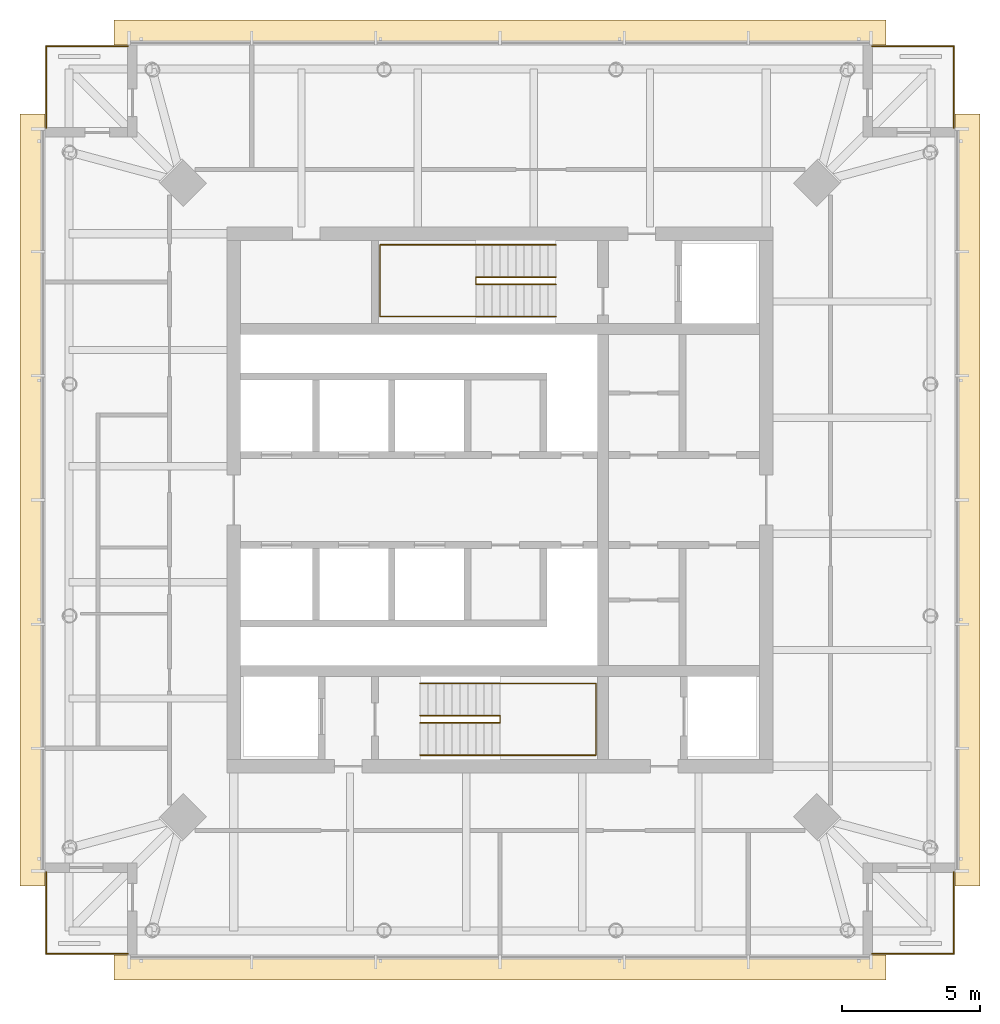
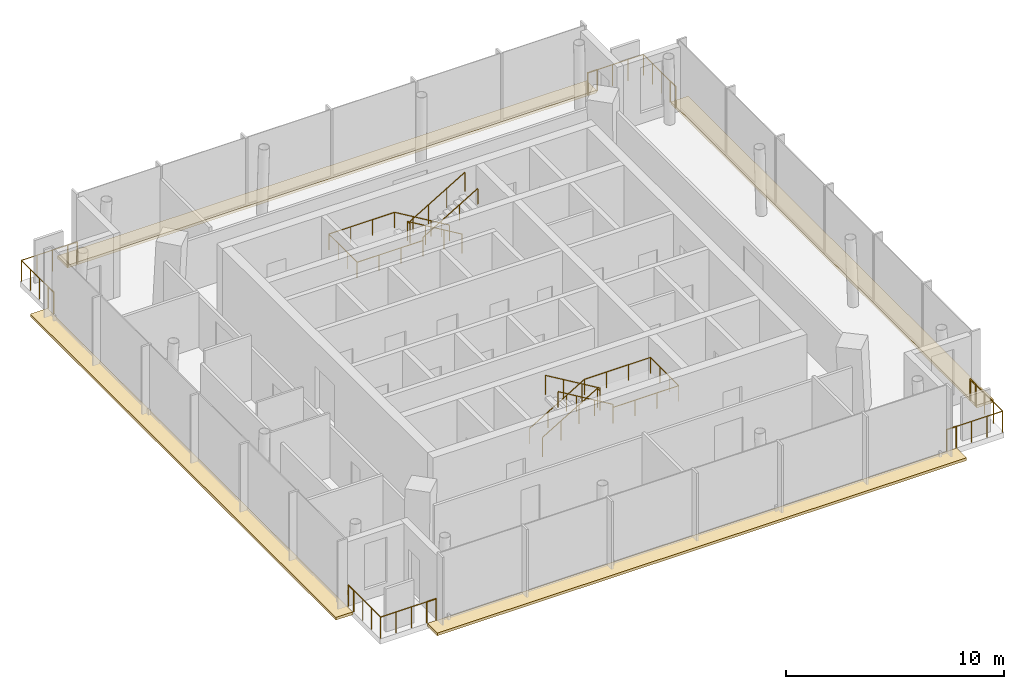
# One storey, part 8 of 8: 16 railings, 4 coverings.
"""IFC4 building model written with IfcOpenShell, lengths in metres."""

from ifc_helpers import new_model, si_unit, direction, frame, origin, origin_2d, place, context, subcontext, project, spatial, polyline, circle, outline, extrude, material, layer, layer_set, type_object, element, save


model = new_model("IFC4")

# Units and contexts
model_context = context("Model", 3, precision=1e-05, world=origin(), true_north=direction((0.0, 1.0)))
body_context = subcontext(model_context, "Body", "Model", "MODEL_VIEW")
ifc_project = project(units=[si_unit("LENGTHUNIT", "METRE"), si_unit("AREAUNIT", "SQUARE_METRE"), si_unit("VOLUMEUNIT", "CUBIC_METRE"), si_unit("PLANEANGLEUNIT", "RADIAN"), si_unit("MASSUNIT", "GRAM", prefix="KILO")], contexts=[model_context])

# Site, building, storey
site_placement = place(None, origin())
site = spatial("IfcSite", under=ifc_project, at=site_placement, CompositionType="ELEMENT")
building_placement = place(site_placement, origin())
building = spatial("IfcBuilding", under=site, at=building_placement, Name="Ostroluk Exchange", CompositionType="ELEMENT")
storey_placement = place(building_placement, frame((0.0, 0.0, 283.199951171875)))
storey = spatial("IfcBuildingStorey", under=building, at=storey_placement, Name="L73", CompositionType="ELEMENT", Elevation=283.199951171875)

# Railings
ifc_material_1 = material(Name="Laminated toughened glass", Category="glass")
railing_type_1 = type_object("IfcRailingType", Name="Lockable maintenance gate 1200 glass", PredefinedType="GUARDRAIL", material=ifc_material_1)
railing_1_placement = place(storey_placement, frame((58.5, 29.550048828125, 0.0)))
element("IfcRailing", 1, at=railing_1_placement, inside=storey, type_object=railing_type_1, Name="Lockable maintenance gate T1 L73 SE", PredefinedType="GUARDRAIL", context=body_context, shape_type="SweptSolid", body=[
    extrude(circle(Radius=0.02392578125, at=origin_2d()), frame((0.0, 0.0, 1.17578125), z_axis=(1.0, 0.0, 0.0), x_axis=(0.0, 1.0, 0.0)), (0.0, 0.0, 1.0), 0.5),
    extrude(circle(Radius=0.02099609375, at=origin_2d()), origin(), (0.0, 0.0, 1.0), 1.15185546875),
    extrude(circle(Radius=0.02099609375, at=origin_2d()), frame((0.5, 0.0, 0.0)), (0.0, 0.0, 1.0), 1.15185546875),
])
railing_2_placement = place(storey_placement, frame((61.449951171875, 32.0, 0.0)))
element("IfcRailing", 2, at=railing_2_placement, inside=storey, type_object=railing_type_1, Name="Lockable maintenance gate T1 L73 SE", PredefinedType="GUARDRAIL", context=body_context, shape_type="SweptSolid", body=[
    extrude(circle(Radius=0.02392578125, at=origin_2d()), frame((0.0, 0.0, 1.17578125), z_axis=(0.0, 1.0, 0.0), x_axis=(-1.0, 0.0, 0.0)), (0.0, 0.0, 1.0), 0.5),
    extrude(circle(Radius=0.02099609375, at=origin_2d()), origin(), (0.0, 0.0, 1.0), 1.15185546875),
    extrude(circle(Radius=0.02099609375, at=origin_2d()), frame((0.0, 0.5, 0.0)), (0.0, 0.0, 1.0), 1.15185546875),
])
railing_3_placement = place(storey_placement, frame((58.5, 62.449951171875, 0.0)))
element("IfcRailing", 3, at=railing_3_placement, inside=storey, type_object=railing_type_1, Name="Lockable maintenance gate T1 L73 NE", PredefinedType="GUARDRAIL", context=body_context, shape_type="SweptSolid", body=[
    extrude(circle(Radius=0.02392578125, at=origin_2d()), frame((0.0, 0.0, 1.17578125), z_axis=(1.0, 0.0, 0.0), x_axis=(0.0, 1.0, 0.0)), (0.0, 0.0, 1.0), 0.5),
    extrude(circle(Radius=0.02099609375, at=origin_2d()), origin(), (0.0, 0.0, 1.0), 1.15185546875),
    extrude(circle(Radius=0.02099609375, at=origin_2d()), frame((0.5, 0.0, 0.0)), (0.0, 0.0, 1.0), 1.15185546875),
])
railing_4_placement = place(storey_placement, frame((61.449951171875, 60.0, 0.0)))
element("IfcRailing", 4, at=railing_4_placement, inside=storey, type_object=railing_type_1, Name="Lockable maintenance gate T1 L73 NE", PredefinedType="GUARDRAIL", context=body_context, shape_type="SweptSolid", body=[
    extrude(circle(Radius=0.02392578125, at=origin_2d()), frame((0.0, 0.0, 1.17578125), z_axis=(0.0, -1.0, 0.0), x_axis=(1.0, 0.0, 0.0)), (0.0, 0.0, 1.0), 0.5),
    extrude(circle(Radius=0.02099609375, at=origin_2d()), origin(), (0.0, 0.0, 1.0), 1.15185546875),
    extrude(circle(Radius=0.02099609375, at=origin_2d()), frame((0.0, -0.5, 0.0)), (0.0, 0.0, 1.0), 1.15185546875),
])
railing_5_placement = place(storey_placement, frame((31.5, 62.449951171875, 0.0)))
element("IfcRailing", 5, at=railing_5_placement, inside=storey, type_object=railing_type_1, Name="Lockable maintenance gate T1 L73 NW", PredefinedType="GUARDRAIL", context=body_context, shape_type="SweptSolid", body=[
    extrude(circle(Radius=0.02392578125, at=origin_2d()), frame((0.0, 0.0, 1.17578125), z_axis=(-1.0, 0.0, 0.0), x_axis=(0.0, -1.0, 0.0)), (0.0, 0.0, 1.0), 0.5),
    extrude(circle(Radius=0.02099609375, at=origin_2d()), origin(), (0.0, 0.0, 1.0), 1.15185546875),
    extrude(circle(Radius=0.02099609375, at=origin_2d()), frame((-0.5, 0.0, 0.0)), (0.0, 0.0, 1.0), 1.15185546875),
])
railing_6_placement = place(storey_placement, frame((28.550048828125, 60.0, 0.0)))
element("IfcRailing", 6, at=railing_6_placement, inside=storey, type_object=railing_type_1, Name="Lockable maintenance gate T1 L73 NW", PredefinedType="GUARDRAIL", context=body_context, shape_type="SweptSolid", body=[
    extrude(circle(Radius=0.02392578125, at=origin_2d()), frame((0.0, 0.0, 1.17578125), z_axis=(0.0, -1.0, 0.0), x_axis=(1.0, 0.0, 0.0)), (0.0, 0.0, 1.0), 0.5),
    extrude(circle(Radius=0.02099609375, at=origin_2d()), origin(), (0.0, 0.0, 1.0), 1.15185546875),
    extrude(circle(Radius=0.02099609375, at=origin_2d()), frame((0.0, -0.5, 0.0)), (0.0, 0.0, 1.0), 1.15185546875),
])
railing_7_placement = place(storey_placement, frame((31.5, 29.550048828125, 0.0)))
element("IfcRailing", 7, at=railing_7_placement, inside=storey, type_object=railing_type_1, Name="Lockable maintenance gate T1 L73 SW", PredefinedType="GUARDRAIL", context=body_context, shape_type="SweptSolid", body=[
    extrude(circle(Radius=0.02392578125, at=origin_2d()), frame((0.0, 0.0, 1.17578125), z_axis=(-1.0, 0.0, 0.0), x_axis=(0.0, -1.0, 0.0)), (0.0, 0.0, 1.0), 0.5),
    extrude(circle(Radius=0.02099609375, at=origin_2d()), origin(), (0.0, 0.0, 1.0), 1.15185546875),
    extrude(circle(Radius=0.02099609375, at=origin_2d()), frame((-0.5, 0.0, 0.0)), (0.0, 0.0, 1.0), 1.15185546875),
])
railing_8_placement = place(storey_placement, frame((28.550048828125, 32.0, 0.0)))
element("IfcRailing", 8, at=railing_8_placement, inside=storey, type_object=railing_type_1, Name="Lockable maintenance gate T1 L73 SW", PredefinedType="GUARDRAIL", context=body_context, shape_type="SweptSolid", body=[
    extrude(circle(Radius=0.02392578125, at=origin_2d()), frame((0.0, 0.0, 1.17578125), z_axis=(0.0, 1.0, 0.0), x_axis=(-1.0, 0.0, 0.0)), (0.0, 0.0, 1.0), 0.5),
    extrude(circle(Radius=0.02099609375, at=origin_2d()), origin(), (0.0, 0.0, 1.0), 1.15185546875),
    extrude(circle(Radius=0.02099609375, at=origin_2d()), frame((0.0, 0.5, 0.0)), (0.0, 0.0, 1.0), 1.15185546875),
])
ifc_material_2 = material(Name="Laminated toughened glass", Category="glass")
railing_type_2 = type_object("IfcRailingType", Name="Observation guard 1200 glass", PredefinedType="GUARDRAIL", material=ifc_material_2)
railing_9_placement = place(storey_placement, frame((59.0, 29.550048828125, 0.0)))
element("IfcRailing", 9, at=railing_9_placement, inside=storey, type_object=railing_type_2, Name="Office tower SE balcony guard L73", PredefinedType="GUARDRAIL", context=body_context, shape_type="SweptSolid", body=[
    extrude(circle(Radius=0.02392578125, at=origin_2d()), frame((0.0, 0.0, 1.17578125), z_axis=(1.0, 0.0, 0.0), x_axis=(0.0, 1.0, 0.0)), (0.0, 0.0, 1.0), 2.449951171875),
    extrude(circle(Radius=0.02392578125, at=origin_2d()), frame((2.449951171875, 0.0, 1.17578125), z_axis=(0.0, 1.0, 0.0), x_axis=(-1.0, 0.0, 0.0)), (0.0, 0.0, 1.0), 2.449951171875),
    extrude(circle(Radius=0.02099609375, at=origin_2d()), origin(), (0.0, 0.0, 1.0), 1.15185546875),
    extrude(circle(Radius=0.02099609375, at=origin_2d()), frame((0.816650390625, 0.0, 0.0)), (0.0, 0.0, 1.0), 1.15185546875),
    extrude(circle(Radius=0.02099609375, at=origin_2d()), frame((1.63330078125, 0.0, 0.0)), (0.0, 0.0, 1.0), 1.15185546875),
    extrude(circle(Radius=0.02099609375, at=origin_2d()), frame((2.449951171875, 0.0, 0.0)), (0.0, 0.0, 1.0), 1.15185546875),
    extrude(circle(Radius=0.02099609375, at=origin_2d()), frame((2.449951171875, 0.816650390625, 0.0)), (0.0, 0.0, 1.0), 1.15185546875),
    extrude(circle(Radius=0.02099609375, at=origin_2d()), frame((2.449951171875, 1.63330078125, 0.0)), (0.0, 0.0, 1.0), 1.15185546875),
    extrude(circle(Radius=0.02099609375, at=origin_2d()), frame((2.449951171875, 2.449951171875, 0.0)), (0.0, 0.0, 1.0), 1.15185546875),
])
railing_10_placement = place(storey_placement, frame((59.0, 62.449951171875, 0.0)))
element("IfcRailing", 10, at=railing_10_placement, inside=storey, type_object=railing_type_2, Name="Office tower NE balcony guard L73", PredefinedType="GUARDRAIL", context=body_context, shape_type="SweptSolid", body=[
    extrude(circle(Radius=0.02392578125, at=origin_2d()), frame((0.0, 0.0, 1.17578125), z_axis=(1.0, 0.0, 0.0), x_axis=(0.0, 1.0, 0.0)), (0.0, 0.0, 1.0), 2.449951171875),
    extrude(circle(Radius=0.02392578125, at=origin_2d()), frame((2.449951171875, 0.0, 1.17578125), z_axis=(0.0, -1.0, 0.0), x_axis=(1.0, 0.0, 0.0)), (0.0, 0.0, 1.0), 2.449951171875),
    extrude(circle(Radius=0.02099609375, at=origin_2d()), origin(), (0.0, 0.0, 1.0), 1.15185546875),
    extrude(circle(Radius=0.02099609375, at=origin_2d()), frame((0.816650390625, 0.0, 0.0)), (0.0, 0.0, 1.0), 1.15185546875),
    extrude(circle(Radius=0.02099609375, at=origin_2d()), frame((1.63330078125, 0.0, 0.0)), (0.0, 0.0, 1.0), 1.15185546875),
    extrude(circle(Radius=0.02099609375, at=origin_2d()), frame((2.449951171875, 0.0, 0.0)), (0.0, 0.0, 1.0), 1.15185546875),
    extrude(circle(Radius=0.02099609375, at=origin_2d()), frame((2.449951171875, -0.816650390625, 0.0)), (0.0, 0.0, 1.0), 1.15185546875),
    extrude(circle(Radius=0.02099609375, at=origin_2d()), frame((2.449951171875, -1.63330078125, 0.0)), (0.0, 0.0, 1.0), 1.15185546875),
    extrude(circle(Radius=0.02099609375, at=origin_2d()), frame((2.449951171875, -2.449951171875, 0.0)), (0.0, 0.0, 1.0), 1.15185546875),
])
railing_11_placement = place(storey_placement, frame((31.0, 62.449951171875, 0.0)))
element("IfcRailing", 11, at=railing_11_placement, inside=storey, type_object=railing_type_2, Name="Office tower NW balcony guard L73", PredefinedType="GUARDRAIL", context=body_context, shape_type="SweptSolid", body=[
    extrude(circle(Radius=0.02392578125, at=origin_2d()), frame((0.0, 0.0, 1.17578125), z_axis=(-1.0, 0.0, 0.0), x_axis=(0.0, -1.0, 0.0)), (0.0, 0.0, 1.0), 2.449951171875),
    extrude(circle(Radius=0.02392578125, at=origin_2d()), frame((-2.449951171875, 0.0, 1.17578125), z_axis=(0.0, -1.0, 0.0), x_axis=(1.0, 0.0, 0.0)), (0.0, 0.0, 1.0), 2.449951171875),
    extrude(circle(Radius=0.02099609375, at=origin_2d()), origin(), (0.0, 0.0, 1.0), 1.15185546875),
    extrude(circle(Radius=0.02099609375, at=origin_2d()), frame((-0.816650390625, 0.0, 0.0)), (0.0, 0.0, 1.0), 1.15185546875),
    extrude(circle(Radius=0.02099609375, at=origin_2d()), frame((-1.63330078125, 0.0, 0.0)), (0.0, 0.0, 1.0), 1.15185546875),
    extrude(circle(Radius=0.02099609375, at=origin_2d()), frame((-2.449951171875, 0.0, 0.0)), (0.0, 0.0, 1.0), 1.15185546875),
    extrude(circle(Radius=0.02099609375, at=origin_2d()), frame((-2.449951171875, -0.816650390625, 0.0)), (0.0, 0.0, 1.0), 1.15185546875),
    extrude(circle(Radius=0.02099609375, at=origin_2d()), frame((-2.449951171875, -1.63330078125, 0.0)), (0.0, 0.0, 1.0), 1.15185546875),
    extrude(circle(Radius=0.02099609375, at=origin_2d()), frame((-2.449951171875, -2.449951171875, 0.0)), (0.0, 0.0, 1.0), 1.15185546875),
])
railing_12_placement = place(storey_placement, frame((31.0, 29.550048828125, 0.0)))
element("IfcRailing", 12, at=railing_12_placement, inside=storey, type_object=railing_type_2, Name="Office tower SW balcony guard L73", PredefinedType="GUARDRAIL", context=body_context, shape_type="SweptSolid", body=[
    extrude(circle(Radius=0.02392578125, at=origin_2d()), frame((0.0, 0.0, 1.17578125), z_axis=(-1.0, 0.0, 0.0), x_axis=(0.0, -1.0, 0.0)), (0.0, 0.0, 1.0), 2.449951171875),
    extrude(circle(Radius=0.02392578125, at=origin_2d()), frame((-2.449951171875, 0.0, 1.17578125), z_axis=(0.0, 1.0, 0.0), x_axis=(-1.0, 0.0, 0.0)), (0.0, 0.0, 1.0), 2.449951171875),
    extrude(circle(Radius=0.02099609375, at=origin_2d()), origin(), (0.0, 0.0, 1.0), 1.15185546875),
    extrude(circle(Radius=0.02099609375, at=origin_2d()), frame((-0.816650390625, 0.0, 0.0)), (0.0, 0.0, 1.0), 1.15185546875),
    extrude(circle(Radius=0.02099609375, at=origin_2d()), frame((-1.63330078125, 0.0, 0.0)), (0.0, 0.0, 1.0), 1.15185546875),
    extrude(circle(Radius=0.02099609375, at=origin_2d()), frame((-2.449951171875, 0.0, 0.0)), (0.0, 0.0, 1.0), 1.15185546875),
    extrude(circle(Radius=0.02099609375, at=origin_2d()), frame((-2.449951171875, 0.816650390625, 0.0)), (0.0, 0.0, 1.0), 1.15185546875),
    extrude(circle(Radius=0.02099609375, at=origin_2d()), frame((-2.449951171875, 1.63330078125, 0.0)), (0.0, 0.0, 1.0), 1.15185546875),
    extrude(circle(Radius=0.02099609375, at=origin_2d()), frame((-2.449951171875, 2.449951171875, 0.0)), (0.0, 0.0, 1.0), 1.15185546875),
])

# Coverings
ifc_material_3 = material(Name="Insulated steel roof deck with membrane, laid to falls, aluminium coping", Category="steel")
ifc_layer = layer(ifc_material_3, 0.14990234375)
ifc_layer_set = layer_set([ifc_layer], Name="Setback maintenance roof")
covering_type = type_object("IfcCoveringType", Name="Setback maintenance roof", PredefinedType="ROOFING", material=ifc_layer_set)
covering_1_placement = place(storey_placement, frame((0.0, 0.0, -0.14990234375)))
element("IfcCovering", 13, at=covering_1_placement, inside=storey, type_object=covering_type, Name="Maintenance roof, setback L73 south", PredefinedType="ROOFING", context=body_context, shape_type="SweptSolid", body=[
    extrude(outline(polyline([(31.0, 29.5), (59.0, 29.5), (59.0, 28.60009765625), (31.0, 28.60009765625), (31.0, 29.5)])), origin(), (0.0, 0.0, 1.0), 0.14990234375),
])
covering_2_placement = place(storey_placement, frame((0.0, 0.0, -0.14990234375)))
element("IfcCovering", 14, at=covering_2_placement, inside=storey, type_object=covering_type, Name="Maintenance roof, setback L73 east", PredefinedType="ROOFING", context=body_context, shape_type="SweptSolid", body=[
    extrude(outline(polyline([(61.5, 60.0), (62.39990234375, 60.0), (62.39990234375, 32.0), (61.5, 32.0), (61.5, 60.0)])), origin(), (0.0, 0.0, 1.0), 0.14990234375),
])
covering_3_placement = place(storey_placement, frame((0.0, 0.0, -0.14990234375)))
element("IfcCovering", 15, at=covering_3_placement, inside=storey, type_object=covering_type, Name="Maintenance roof, setback L73 north", PredefinedType="ROOFING", context=body_context, shape_type="SweptSolid", body=[
    extrude(outline(polyline([(31.0, 63.39990234375), (59.0, 63.39990234375), (59.0, 62.5), (31.0, 62.5), (31.0, 63.39990234375)])), origin(), (0.0, 0.0, 1.0), 0.14990234375),
])
covering_4_placement = place(storey_placement, frame((0.0, 0.0, -0.14990234375)))
element("IfcCovering", 16, at=covering_4_placement, inside=storey, type_object=covering_type, Name="Maintenance roof, setback L73 west", PredefinedType="ROOFING", context=body_context, shape_type="SweptSolid", body=[
    extrude(outline(polyline([(27.60009765625, 60.0), (28.5, 60.0), (28.5, 32.0), (27.60009765625, 32.0), (27.60009765625, 60.0)])), origin(), (0.0, 0.0, 1.0), 0.14990234375),
])

# Railings
ifc_material_4 = material(Name="Steel S355", Category="steel")
railing_type_3 = type_object("IfcRailingType", Name="Stair guard 1100", PredefinedType="GUARDRAIL", material=ifc_material_4)
railing_13_placement = place(storey_placement, frame((42.10009765625, 38.179931640625, 0.1728515625)))
element("IfcRailing", 17, at=railing_13_placement, inside=storey, type_object=railing_type_3, Name="Stair T1-S1 guard L73", PredefinedType="GUARDRAIL", context=body_context, shape_type="SweptSolid", body=[
    extrude(circle(Radius=0.02392578125, at=origin_2d()), frame((0.0, 0.0, 1.076171875), z_axis=(0.859141464434, 0.0, 0.511738159696), x_axis=(0.0, 1.0, 0.0)), (0.0, 0.0, 1.0), 3.375244140625),
    extrude(circle(Radius=0.02392578125, at=origin_2d()), frame((2.89990234375, 0.0, 2.80322265625), z_axis=(0.0, -1.0, 0.0), x_axis=(1.0, 0.0, 0.0)), (0.0, 0.0, 1.0), 0.260009765625),
    extrude(circle(Radius=0.02392578125, at=origin_2d()), frame((2.89990234375, -0.260009765625, 2.80322265625), z_axis=(0.0, 0.0, 1.0), x_axis=(1.0, 0.0, 0.0)), (0.0, 0.0, 1.0), 0.172607421875),
    extrude(circle(Radius=0.02392578125, at=origin_2d()), frame((2.89990234375, -0.260009765625, 2.97607421875), z_axis=(-0.859141464434, 0.0, 0.511738159696), x_axis=(0.0, -1.0, 0.0)), (0.0, 0.0, 1.0), 3.375244140625),
    extrude(circle(Radius=0.02099609375, at=origin_2d()), origin(), (0.0, 0.0, 1.0), 1.052001953125),
    extrude(circle(Radius=0.02099609375, at=origin_2d()), frame((0.966552734375, 0.0, 0.57568359375)), (0.0, 0.0, 1.0), 1.052001953125),
    extrude(circle(Radius=0.02099609375, at=origin_2d()), frame((1.933349609375, 0.0, 1.151611328125)), (0.0, 0.0, 1.0), 1.052001953125),
    extrude(circle(Radius=0.02099609375, at=origin_2d()), frame((2.89990234375, 0.0, 1.727294921875)), (0.0, 0.0, 1.0), 1.052001953125),
    extrude(circle(Radius=0.02099609375, at=origin_2d()), frame((2.89990234375, -0.260009765625, 1.727294921875)), (0.0, 0.0, 1.0), 1.052001953125),
    extrude(circle(Radius=0.02099609375, at=origin_2d()), frame((2.89990234375, -0.260009765625, 1.89990234375)), (0.0, 0.0, 1.0), 1.052001953125),
    extrude(circle(Radius=0.02099609375, at=origin_2d()), frame((1.933349609375, -0.260009765625, 2.4755859375)), (0.0, 0.0, 1.0), 1.052001953125),
    extrude(circle(Radius=0.02099609375, at=origin_2d()), frame((0.966552734375, -0.260009765625, 3.051513671875)), (0.0, 0.0, 1.0), 1.052001953125),
    extrude(circle(Radius=0.02099609375, at=origin_2d()), frame((0.0, -0.260009765625, 3.627197265625)), (0.0, 0.0, 1.0), 1.052001953125),
])
railing_14_placement = place(storey_placement, frame((47.030029296875, 54.080078125, 0.1728515625)))
element("IfcRailing", 18, at=railing_14_placement, inside=storey, type_object=railing_type_3, Name="Stair T1-S2 guard L73", PredefinedType="GUARDRAIL", context=body_context, shape_type="SweptSolid", body=[
    extrude(circle(Radius=0.02392578125, at=origin_2d()), frame((0.0, 0.0, 1.076171875), z_axis=(-0.859160404282, 0.0, 0.51170636083), x_axis=(0.0, -1.0, 0.0)), (0.0, 0.0, 1.0), 3.37548828125),
    extrude(circle(Radius=0.02392578125, at=origin_2d()), frame((-2.900146484375, 0.0, 2.80322265625), z_axis=(0.0, -1.0, 0.0), x_axis=(1.0, 0.0, 0.0)), (0.0, 0.0, 1.0), 0.260009765625),
    extrude(circle(Radius=0.02392578125, at=origin_2d()), frame((-2.900146484375, -0.260009765625, 2.80322265625), z_axis=(0.0, 0.0, 1.0), x_axis=(1.0, 0.0, 0.0)), (0.0, 0.0, 1.0), 0.172607421875),
    extrude(circle(Radius=0.02392578125, at=origin_2d()), frame((-2.900146484375, -0.260009765625, 2.97607421875), z_axis=(0.859160404282, 0.0, 0.51170636083), x_axis=(0.0, 1.0, 0.0)), (0.0, 0.0, 1.0), 3.37548828125),
    extrude(circle(Radius=0.02099609375, at=origin_2d()), origin(), (0.0, 0.0, 1.0), 1.052001953125),
    extrude(circle(Radius=0.02099609375, at=origin_2d()), frame((-0.966796875, 0.0, 0.57568359375)), (0.0, 0.0, 1.0), 1.052001953125),
    extrude(circle(Radius=0.02099609375, at=origin_2d()), frame((-1.933349609375, 0.0, 1.151611328125)), (0.0, 0.0, 1.0), 1.052001953125),
    extrude(circle(Radius=0.02099609375, at=origin_2d()), frame((-2.900146484375, 0.0, 1.727294921875)), (0.0, 0.0, 1.0), 1.052001953125),
    extrude(circle(Radius=0.02099609375, at=origin_2d()), frame((-2.900146484375, -0.260009765625, 1.727294921875)), (0.0, 0.0, 1.0), 1.052001953125),
    extrude(circle(Radius=0.02099609375, at=origin_2d()), frame((-2.900146484375, -0.260009765625, 1.89990234375)), (0.0, 0.0, 1.0), 1.052001953125),
    extrude(circle(Radius=0.02099609375, at=origin_2d()), frame((-1.933349609375, -0.260009765625, 2.4755859375)), (0.0, 0.0, 1.0), 1.052001953125),
    extrude(circle(Radius=0.02099609375, at=origin_2d()), frame((-0.966796875, -0.260009765625, 3.051513671875)), (0.0, 0.0, 1.0), 1.052001953125),
    extrude(circle(Radius=0.02099609375, at=origin_2d()), frame((0.0, -0.260009765625, 3.627197265625)), (0.0, 0.0, 1.0), 1.052001953125),
])
ifc_material_5 = material(Name="Stainless steel", Category="steel")
railing_type_4 = type_object("IfcRailingType", Name="Stair handrail 900", PredefinedType="HANDRAIL", material=ifc_material_5)
railing_15_placement = place(storey_placement, frame((42.10009765625, 39.35009765625, 0.1728515625)))
element("IfcRailing", 19, at=railing_15_placement, inside=storey, type_object=railing_type_4, Name="Stair T1-S1 handrail L73", PredefinedType="HANDRAIL", context=body_context, shape_type="SweptSolid", body=[
    extrude(circle(Radius=0.02392578125, at=origin_2d()), frame((0.0, 0.0, 0.8759765625), z_axis=(0.859141464434, 0.0, 0.511738159696), x_axis=(0.0, 1.0, 0.0)), (0.0, 0.0, 1.0), 3.375244140625),
    extrude(circle(Radius=0.02392578125, at=origin_2d()), frame((2.89990234375, 0.0, 2.60302734375), z_axis=(1.0, 0.0, 0.0), x_axis=(0.0, 1.0, 0.0)), (0.0, 0.0, 1.0), 3.47998046875),
    extrude(circle(Radius=0.02392578125, at=origin_2d()), frame((6.3798828125, 0.0, 2.60302734375), z_axis=(0.0, -1.0, 0.0), x_axis=(1.0, 0.0, 0.0)), (0.0, 0.0, 1.0), 2.60009765625),
    extrude(circle(Radius=0.02392578125, at=origin_2d()), frame((6.3798828125, -2.60009765625, 2.60302734375), z_axis=(-1.0, 0.0, 0.0), x_axis=(0.0, -1.0, 0.0)), (0.0, 0.0, 1.0), 3.47998046875),
    extrude(circle(Radius=0.02392578125, at=origin_2d()), frame((2.89990234375, -2.60009765625, 2.60302734375), z_axis=(0.0, 0.0, 1.0), x_axis=(1.0, 0.0, 0.0)), (0.0, 0.0, 1.0), 0.172607421875),
    extrude(circle(Radius=0.02392578125, at=origin_2d()), frame((2.89990234375, -2.60009765625, 2.77587890625), z_axis=(-0.859141464434, 0.0, 0.511738159696), x_axis=(0.0, -1.0, 0.0)), (0.0, 0.0, 1.0), 3.375244140625),
    extrude(circle(Radius=0.02099609375, at=origin_2d()), origin(), (0.0, 0.0, 1.0), 0.851806640625),
    extrude(circle(Radius=0.02099609375, at=origin_2d()), frame((0.966552734375, 0.0, 0.57568359375)), (0.0, 0.0, 1.0), 0.851806640625),
    extrude(circle(Radius=0.02099609375, at=origin_2d()), frame((1.933349609375, 0.0, 1.151611328125)), (0.0, 0.0, 1.0), 0.851806640625),
    extrude(circle(Radius=0.02099609375, at=origin_2d()), frame((2.89990234375, 0.0, 1.727294921875)), (0.0, 0.0, 1.0), 0.851806640625),
    extrude(circle(Radius=0.02099609375, at=origin_2d()), frame((4.059814453125, 0.0, 1.727294921875)), (0.0, 0.0, 1.0), 0.851806640625),
    extrude(circle(Radius=0.02099609375, at=origin_2d()), frame((5.219970703125, 0.0, 1.727294921875)), (0.0, 0.0, 1.0), 0.851806640625),
    extrude(circle(Radius=0.02099609375, at=origin_2d()), frame((6.3798828125, 0.0, 1.727294921875)), (0.0, 0.0, 1.0), 0.851806640625),
    extrude(circle(Radius=0.02099609375, at=origin_2d()), frame((6.3798828125, -0.86669921875, 1.727294921875)), (0.0, 0.0, 1.0), 0.851806640625),
    extrude(circle(Radius=0.02099609375, at=origin_2d()), frame((6.3798828125, -1.7333984375, 1.727294921875)), (0.0, 0.0, 1.0), 0.851806640625),
    extrude(circle(Radius=0.02099609375, at=origin_2d()), frame((6.3798828125, -2.60009765625, 1.727294921875)), (0.0, 0.0, 1.0), 0.851806640625),
    extrude(circle(Radius=0.02099609375, at=origin_2d()), frame((5.219970703125, -2.60009765625, 1.727294921875)), (0.0, 0.0, 1.0), 0.851806640625),
    extrude(circle(Radius=0.02099609375, at=origin_2d()), frame((4.059814453125, -2.60009765625, 1.727294921875)), (0.0, 0.0, 1.0), 0.851806640625),
    extrude(circle(Radius=0.02099609375, at=origin_2d()), frame((2.89990234375, -2.60009765625, 1.727294921875)), (0.0, 0.0, 1.0), 0.851806640625),
    extrude(circle(Radius=0.02099609375, at=origin_2d()), frame((2.89990234375, -2.60009765625, 1.89990234375)), (0.0, 0.0, 1.0), 0.851806640625),
    extrude(circle(Radius=0.02099609375, at=origin_2d()), frame((1.933349609375, -2.60009765625, 2.4755859375)), (0.0, 0.0, 1.0), 0.851806640625),
    extrude(circle(Radius=0.02099609375, at=origin_2d()), frame((0.966552734375, -2.60009765625, 3.051513671875)), (0.0, 0.0, 1.0), 0.851806640625),
    extrude(circle(Radius=0.02099609375, at=origin_2d()), frame((0.0, -2.60009765625, 3.627197265625)), (0.0, 0.0, 1.0), 0.851806640625),
])
railing_16_placement = place(storey_placement, frame((47.030029296875, 55.25, 0.1728515625)))
element("IfcRailing", 20, at=railing_16_placement, inside=storey, type_object=railing_type_4, Name="Stair T1-S2 handrail L73", PredefinedType="HANDRAIL", context=body_context, shape_type="SweptSolid", body=[
    extrude(circle(Radius=0.02392578125, at=origin_2d()), frame((0.0, 0.0, 0.8759765625), z_axis=(-0.859160404282, 0.0, 0.51170636083), x_axis=(0.0, -1.0, 0.0)), (0.0, 0.0, 1.0), 3.37548828125),
    extrude(circle(Radius=0.02392578125, at=origin_2d()), frame((-2.900146484375, 0.0, 2.60302734375), z_axis=(-1.0, 0.0, 0.0), x_axis=(0.0, -1.0, 0.0)), (0.0, 0.0, 1.0), 3.47998046875),
    extrude(circle(Radius=0.02392578125, at=origin_2d()), frame((-6.380126953125, 0.0, 2.60302734375), z_axis=(0.0, -1.0, 0.0), x_axis=(1.0, 0.0, 0.0)), (0.0, 0.0, 1.0), 2.60009765625),
    extrude(circle(Radius=0.02392578125, at=origin_2d()), frame((-6.380126953125, -2.60009765625, 2.60302734375), z_axis=(1.0, 0.0, 0.0), x_axis=(0.0, 1.0, 0.0)), (0.0, 0.0, 1.0), 3.47998046875),
    extrude(circle(Radius=0.02392578125, at=origin_2d()), frame((-2.900146484375, -2.60009765625, 2.60302734375), z_axis=(0.0, 0.0, 1.0), x_axis=(1.0, 0.0, 0.0)), (0.0, 0.0, 1.0), 0.172607421875),
    extrude(circle(Radius=0.02392578125, at=origin_2d()), frame((-2.900146484375, -2.60009765625, 2.77587890625), z_axis=(0.859160404282, 0.0, 0.51170636083), x_axis=(0.0, 1.0, 0.0)), (0.0, 0.0, 1.0), 3.37548828125),
    extrude(circle(Radius=0.02099609375, at=origin_2d()), origin(), (0.0, 0.0, 1.0), 0.851806640625),
    extrude(circle(Radius=0.02099609375, at=origin_2d()), frame((-0.966796875, 0.0, 0.57568359375)), (0.0, 0.0, 1.0), 0.851806640625),
    extrude(circle(Radius=0.02099609375, at=origin_2d()), frame((-1.933349609375, 0.0, 1.151611328125)), (0.0, 0.0, 1.0), 0.851806640625),
    extrude(circle(Radius=0.02099609375, at=origin_2d()), frame((-2.900146484375, 0.0, 1.727294921875)), (0.0, 0.0, 1.0), 0.851806640625),
    extrude(circle(Radius=0.02099609375, at=origin_2d()), frame((-4.06005859375, 0.0, 1.727294921875)), (0.0, 0.0, 1.0), 0.851806640625),
    extrude(circle(Radius=0.02099609375, at=origin_2d()), frame((-5.22021484375, 0.0, 1.727294921875)), (0.0, 0.0, 1.0), 0.851806640625),
    extrude(circle(Radius=0.02099609375, at=origin_2d()), frame((-6.380126953125, 0.0, 1.727294921875)), (0.0, 0.0, 1.0), 0.851806640625),
    extrude(circle(Radius=0.02099609375, at=origin_2d()), frame((-6.380126953125, -0.86669921875, 1.727294921875)), (0.0, 0.0, 1.0), 0.851806640625),
    extrude(circle(Radius=0.02099609375, at=origin_2d()), frame((-6.380126953125, -1.7333984375, 1.727294921875)), (0.0, 0.0, 1.0), 0.851806640625),
    extrude(circle(Radius=0.02099609375, at=origin_2d()), frame((-6.380126953125, -2.60009765625, 1.727294921875)), (0.0, 0.0, 1.0), 0.851806640625),
    extrude(circle(Radius=0.02099609375, at=origin_2d()), frame((-5.22021484375, -2.60009765625, 1.727294921875)), (0.0, 0.0, 1.0), 0.851806640625),
    extrude(circle(Radius=0.02099609375, at=origin_2d()), frame((-4.06005859375, -2.60009765625, 1.727294921875)), (0.0, 0.0, 1.0), 0.851806640625),
    extrude(circle(Radius=0.02099609375, at=origin_2d()), frame((-2.900146484375, -2.60009765625, 1.727294921875)), (0.0, 0.0, 1.0), 0.851806640625),
    extrude(circle(Radius=0.02099609375, at=origin_2d()), frame((-2.900146484375, -2.60009765625, 1.89990234375)), (0.0, 0.0, 1.0), 0.851806640625),
    extrude(circle(Radius=0.02099609375, at=origin_2d()), frame((-1.933349609375, -2.60009765625, 2.4755859375)), (0.0, 0.0, 1.0), 0.851806640625),
    extrude(circle(Radius=0.02099609375, at=origin_2d()), frame((-0.966796875, -2.60009765625, 3.051513671875)), (0.0, 0.0, 1.0), 0.851806640625),
    extrude(circle(Radius=0.02099609375, at=origin_2d()), frame((0.0, -2.60009765625, 3.627197265625)), (0.0, 0.0, 1.0), 0.851806640625),
])

save(model, "model.ifc")
